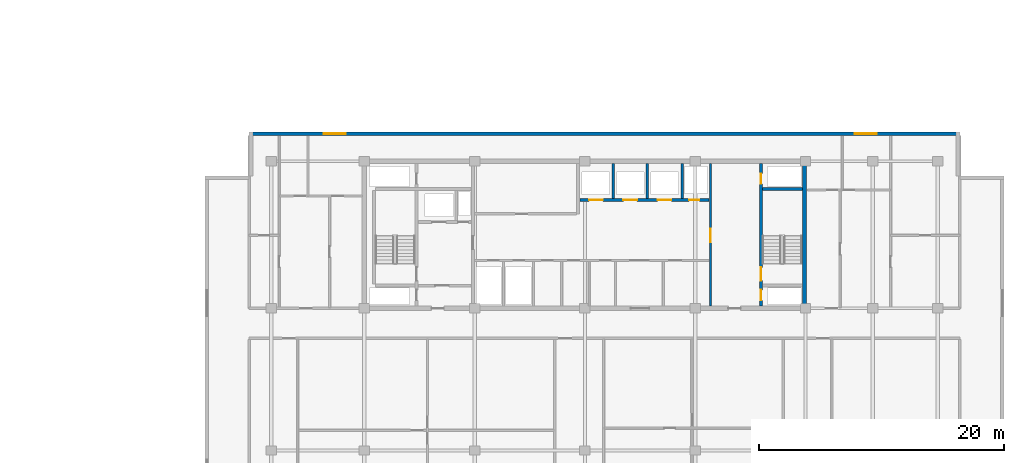
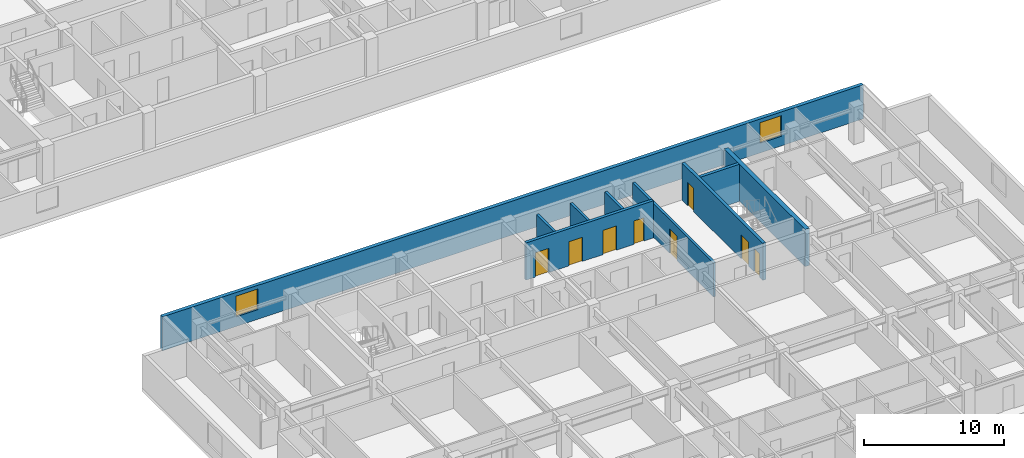
# One storey, part 8 of 22: 9 walls, 8 doors, 2 windows, 10 openings.
"""IFC4 building model written with IfcOpenShell, lengths in metres."""

from ifc_helpers import new_model, si_unit, direction, frame, frame_2d, origin, place, context, subcontext, project, spatial, rectangle, extrude, material, layer, layer_set, type_object, element, fill, save


model = new_model("IFC4")

# Units and contexts
model_context = context("Model", 3, precision=1e-05, world=origin(), true_north=direction((0.0, 1.0)))
body_context = subcontext(model_context, "Body", "Model", "MODEL_VIEW")
ifc_project = project(units=[si_unit("LENGTHUNIT", "METRE"), si_unit("AREAUNIT", "SQUARE_METRE"), si_unit("VOLUMEUNIT", "CUBIC_METRE"), si_unit("PLANEANGLEUNIT", "RADIAN"), si_unit("MASSUNIT", "GRAM", prefix="KILO")], contexts=[model_context])

# Site, building, storey
site_placement = place(None, origin())
site = spatial("IfcSite", under=ifc_project, at=site_placement, CompositionType="ELEMENT")
building_placement = place(site_placement, origin())
building = spatial("IfcBuilding", under=site, at=building_placement, Name="Korimba Cascade Residences", CompositionType="ELEMENT")
storey_placement = place(building_placement, frame((0.0, 0.0, 126.300048828125)))
storey = spatial("IfcBuildingStorey", under=building, at=storey_placement, Name="L36", CompositionType="ELEMENT", Elevation=126.300048828125)

# Wall, openings, windows
ifc_material_1 = material(Name="Precast concrete C40/50", Category="concrete")
ifc_layer_1 = layer(ifc_material_1, 0.300048828125)
ifc_layer_set_1 = layer_set([ifc_layer_1], Name="Precast concrete C40/50")
wall_type_1 = type_object("IfcWallType", Name="EW-STONE-300", PredefinedType="STANDARD", material=ifc_layer_set_1)
wall_1_placement = place(storey_placement, frame((130.699951171875, 32.64990234375, 0.0), z_axis=(0.0, 0.0, 1.0), x_axis=(-1.0, 0.0, 0.0)))
wall_1 = element("IfcWall", 1, at=wall_1_placement, inside=storey, type_object=wall_type_1, Name="L36 T2 Perimeter Stone Wall E06", PredefinedType="STANDARD", context=body_context, shape_type="SweptSolid", body=[
    extrude(rectangle(XDim=58.0, YDim=0.300048828125, at=frame_2d((29.0, 0.0))), origin(), (0.0, 0.0, 1.0), 2.969970703125),
])
opening_1_placement = place(wall_1_placement, frame((50.125, 0.0, 0.85009765625)))
opening_1 = element("IfcOpeningElement", 2, at=opening_1_placement, cuts=wall_1, Name="Opening W-02", PredefinedType="OPENING", context=body_context, shape_type="SweptSolid", body=[
    extrude(rectangle(XDim=1.800048828125, YDim=1.800048828125, at=frame_2d((0.89990234375, 0.89990234375))), frame((0.0, 0.16015625, 0.0), z_axis=(0.0, -1.0, 0.0), x_axis=(1.0, 0.0, 0.0)), (0.0, 0.0, 1.0), 0.320068359375),
])
opening_2_placement = place(wall_1_placement, frame((6.77490234375, 0.0, 0.85009765625)))
opening_2 = element("IfcOpeningElement", 3, at=opening_2_placement, cuts=wall_1, Name="Opening W-02", PredefinedType="OPENING", context=body_context, shape_type="SweptSolid", body=[
    extrude(rectangle(XDim=1.800048828125, YDim=1.800048828125, at=frame_2d((0.89990234375, 0.89990234375))), frame((0.0, 0.16015625, 0.0), z_axis=(0.0, -1.0, 0.0), x_axis=(1.0, 0.0, 0.0)), (0.0, 0.0, 1.0), 0.320068359375),
])
ifc_material_2 = material(Name="Double-Glazed Aluminium Window", Category="aluminium")
window_type = type_object("IfcWindowType", Name="WIN-BED-1800", PartitioningType="SINGLE_PANEL", PredefinedType="WINDOW", material=ifc_material_2)
window_1_placement = place(opening_1_placement, origin())
window_1 = element("IfcWindow", 4, at=window_1_placement, inside=storey, type_object=window_type, Name="L36 T2 North Corner Bedroom Window 1", OverallHeight=1.800048828125, OverallWidth=1.800048828125, PartitioningType="SINGLE_PANEL", PredefinedType="WINDOW", context=body_context, shape_type="SweptSolid", body=[
    extrude(rectangle(XDim=1.800048828125, YDim=1.800048828125, at=frame_2d((0.89990234375, 0.89990234375))), frame((0.0, 0.030029296875, 0.0), z_axis=(0.0, -1.0, 0.0), x_axis=(1.0, 0.0, 0.0)), (0.0, 0.0, 1.0), 0.06005859375),
])
fill(opening_1, window_1)
window_2_placement = place(opening_2_placement, origin())
window_2 = element("IfcWindow", 5, at=window_2_placement, inside=storey, type_object=window_type, Name="L36 T2 North Corner Bedroom Window 2", OverallHeight=1.800048828125, OverallWidth=1.800048828125, PartitioningType="SINGLE_PANEL", PredefinedType="WINDOW", context=body_context, shape_type="SweptSolid", body=[
    extrude(rectangle(XDim=1.800048828125, YDim=1.800048828125, at=frame_2d((0.89990234375, 0.89990234375))), frame((0.0, 0.030029296875, 0.0), z_axis=(0.0, -1.0, 0.0), x_axis=(1.0, 0.0, 0.0)), (0.0, 0.0, 1.0), 0.06005859375),
])
fill(opening_2, window_2)

# Walls
ifc_material_3 = material(Name="Concrete C65/80", Category="concrete")
ifc_layer_2 = layer(ifc_material_3, 0.35009765625)
ifc_layer_set_2 = layer_set([ifc_layer_2], Name="Concrete C65/80")
wall_type_2 = type_object("IfcWallType", Name="WAL-CORE-350", PredefinedType="SHEAR", material=ifc_layer_set_2)
wall_2_placement = place(storey_placement, frame((118.014892578125, 18.574951171875, 0.0), z_axis=(0.0, 0.0, 1.0), x_axis=(0.0, 1.0, 0.0)))
element("IfcWall", 6, at=wall_2_placement, inside=storey, type_object=wall_type_2, Name="L36 Core Shear Wall CW-L36-T2-E", PredefinedType="SHEAR", context=body_context, shape_type="SweptSolid", body=[
    extrude(rectangle(XDim=11.650146484375, YDim=0.35009765625, at=frame_2d((5.8251953125, 0.0))), origin(), (0.0, 0.0, 1.0), 3.25),
])
ifc_material_4 = material(Name="Concrete C40/50", Category="concrete")
ifc_layer_3 = layer(ifc_material_4, 0.199951171875)
ifc_layer_set_3 = layer_set([ifc_layer_3], Name="Concrete C40/50")
wall_type_3 = type_object("IfcWallType", Name="WAL-PART-200", PredefinedType="PARTITIONING", material=ifc_layer_set_3)
for number, where, z_axis, x_axis, name in (
    (7, (102.39990234375, 27.3798828125, 0.0), (0.0, 0.0, 1.0), (0.0, 1.0, 0.0), "L36 Partition Wall CW-L36-T2-B2D1"),
    (8, (105.199951171875, 27.3798828125, 0.0), (0.0, 0.0, 1.0), (0.0, 1.0, 0.0), "L36 Partition Wall CW-L36-T2-B2D2"),
    (9, (108.050048828125, 27.3798828125, 0.0), (0.0, 0.0, 1.0), (0.0, 1.0, 0.0), "L36 Partition Wall CW-L36-T2-B2D3"),
):
    element("IfcWall", number, at=place(storey_placement, frame(where, z_axis=z_axis, x_axis=x_axis)), inside=storey, type_object=wall_type_3, Name=name, PredefinedType="PARTITIONING", context=body_context, shape_type="SweptSolid", body=[
        extrude(rectangle(XDim=2.820068359375, YDim=0.199951171875, at=frame_2d((1.41015625, 0.0))), origin(), (0.0, 0.0, 1.0), 2.969970703125),
    ])

# Wall, opening, door
wall_3_placement = place(storey_placement, frame((110.35009765625, 18.60009765625, 0.0), z_axis=(0.0, 0.0, 1.0), x_axis=(0.0, 1.0, 0.0)))
wall_3 = element("IfcWall", 10, at=wall_3_placement, inside=storey, type_object=wall_type_3, Name="L36 Partition Wall CW-L36-T2-LLEV", PredefinedType="PARTITIONING", context=body_context, shape_type="SweptSolid", body=[
    extrude(rectangle(XDim=11.599853515625, YDim=0.199951171875, at=frame_2d((5.7998046875, 0.0))), origin(), (0.0, 0.0, 1.0), 2.969970703125),
])
opening_3_placement = place(wall_3_placement, frame((5.199951171875, 0.0, 0.0)))
opening_3 = element("IfcOpeningElement", 11, at=opening_3_placement, cuts=wall_3, Name="Opening D-FD6", PredefinedType="OPENING", context=body_context, shape_type="SweptSolid", body=[
    extrude(rectangle(XDim=1.10009765625, YDim=2.14990234375, at=frame_2d((0.550048828125, 1.074951171875))), frame((0.0, 0.10986328125, 0.0), z_axis=(0.0, -1.0, 0.0), x_axis=(1.0, 0.0, 0.0)), (0.0, 0.0, 1.0), 0.219970703125),
])
ifc_material_5 = material(Name="Fire-Rated Timber Stair Lobby Door", Category="wood")
door_type_1 = type_object("IfcDoorType", Name="DR-FD90-1100", OperationType="NOTDEFINED", PredefinedType="DOOR", material=ifc_material_5)
door_1_placement = place(opening_3_placement, origin())
door_1 = element("IfcDoor", 12, at=door_1_placement, inside=storey, type_object=door_type_1, Name="L36 T2 Lift Lobby to East Stair Lobby Door", OperationType="SINGLE_SWING_LEFT", OverallHeight=2.14990234375, OverallWidth=1.10009765625, PredefinedType="DOOR", context=body_context, shape_type="SweptSolid", body=[
    extrude(rectangle(XDim=1.10009765625, YDim=2.14990234375, at=frame_2d((0.550048828125, 1.074951171875))), frame((0.0, 0.02490234375, 0.0), z_axis=(0.0, -1.0, 0.0), x_axis=(1.0, 0.0, 0.0)), (0.0, 0.0, 1.0), 0.050048828125),
])
fill(opening_3, door_1)

# Wall, openings, doors
ifc_material_6 = material(Name="Concrete C50/60", Category="concrete")
ifc_layer_4 = layer(ifc_material_6, 0.25)
ifc_layer_set_4 = layer_set([ifc_layer_4], Name="Concrete C50/60")
wall_type_4 = type_object("IfcWallType", Name="WAL-SHAFT-250", PredefinedType="SHEAR", material=ifc_layer_set_4)
wall_4_placement = place(storey_placement, frame((99.679931640625, 27.25, 0.0), z_axis=(0.0, 0.0, 1.0), x_axis=(1.0, 0.0, 0.0)))
wall_4 = element("IfcWall", 13, at=wall_4_placement, inside=storey, type_object=wall_type_4, Name="L36 Core Shear Wall CW-L36-T2-B2S", PredefinedType="SHEAR", context=body_context, shape_type="SweptSolid", body=[
    extrude(rectangle(XDim=10.5400390625, YDim=0.25, at=frame_2d((5.27001953125, 0.0))), origin(), (0.0, 0.0, 1.0), 3.25),
])
opening_4_placement = place(wall_4_placement, frame((0.760009765625, 0.0, 0.0)))
opening_4 = element("IfcOpeningElement", 14, at=opening_4_placement, cuts=wall_4, Name="Opening LD-01", PredefinedType="OPENING", context=body_context, shape_type="SweptSolid", body=[
    extrude(rectangle(XDim=1.1201171875, YDim=2.1201171875, at=frame_2d((0.56005859375, 1.06005859375))), frame((0.0, 0.135009765625, 0.0), z_axis=(0.0, -1.0, 0.0), x_axis=(1.0, 0.0, 0.0)), (0.0, 0.0, 1.0), 0.27001953125),
])
opening_5_placement = place(wall_4_placement, frame((3.56005859375, 0.0, 0.0)))
opening_5 = element("IfcOpeningElement", 15, at=opening_5_placement, cuts=wall_4, Name="Opening LD-01", PredefinedType="OPENING", context=body_context, shape_type="SweptSolid", body=[
    extrude(rectangle(XDim=1.1201171875, YDim=2.1201171875, at=frame_2d((0.56005859375, 1.06005859375))), frame((0.0, 0.135009765625, 0.0), z_axis=(0.0, -1.0, 0.0), x_axis=(1.0, 0.0, 0.0)), (0.0, 0.0, 1.0), 0.27001953125),
])
opening_6_placement = place(wall_4_placement, frame((6.360107421875, 0.0, 0.0)))
opening_6 = element("IfcOpeningElement", 16, at=opening_6_placement, cuts=wall_4, Name="Opening LD-01", PredefinedType="OPENING", context=body_context, shape_type="SweptSolid", body=[
    extrude(rectangle(XDim=1.1201171875, YDim=2.1201171875, at=frame_2d((0.56005859375, 1.06005859375))), frame((0.0, 0.135009765625, 0.0), z_axis=(0.0, -1.0, 0.0), x_axis=(1.0, 0.0, 0.0)), (0.0, 0.0, 1.0), 0.27001953125),
])
opening_7_placement = place(wall_4_placement, frame((8.919921875, 0.0, 0.0)))
opening_7 = element("IfcOpeningElement", 17, at=opening_7_placement, cuts=wall_4, Name="Opening D-RS1", PredefinedType="OPENING", context=body_context, shape_type="SweptSolid", body=[
    extrude(rectangle(XDim=0.85009765625, YDim=2.050048828125, at=frame_2d((0.425048828125, 1.02490234375))), frame((0.0, 0.135009765625, 0.0), z_axis=(0.0, -1.0, 0.0), x_axis=(1.0, 0.0, 0.0)), (0.0, 0.0, 1.0), 0.27001953125),
])
ifc_material_7 = material(Name="Fire-Rated Steel Riser Access Door", Category="steel")
door_type_2 = type_object("IfcDoorType", Name="DR-FD60-850", OperationType="NOTDEFINED", PredefinedType="DOOR", material=ifc_material_7)
door_2_placement = place(opening_7_placement, origin())
door_2 = element("IfcDoor", 18, at=door_2_placement, inside=storey, type_object=door_type_2, Name="L36 T2 Duct Door", OperationType="SINGLE_SWING_RIGHT", OverallHeight=2.050048828125, OverallWidth=0.85009765625, PredefinedType="DOOR", context=body_context, shape_type="SweptSolid", body=[
    extrude(rectangle(XDim=0.85009765625, YDim=2.050048828125, at=frame_2d((0.425048828125, 1.02490234375))), frame((0.0, 0.02490234375, 0.0), z_axis=(0.0, -1.0, 0.0), x_axis=(1.0, 0.0, 0.0)), (0.0, 0.0, 1.0), 0.050048828125),
])
fill(opening_7, door_2)
ifc_material_8 = material(Name="Stainless Steel Lift Landing Sliding Door", Category="steel")
door_type_3 = type_object("IfcDoorType", Name="DR-LIFT-1100", OperationType="NOTDEFINED", PredefinedType="DOOR", material=ifc_material_8)
door_3_placement = place(opening_4_placement, origin())
door_3 = element("IfcDoor", 19, at=door_3_placement, inside=storey, type_object=door_type_3, Name="L36 Lift Landing Door PL-E4", OperationType="SLIDING_TO_RIGHT", OverallHeight=2.1201171875, OverallWidth=1.1201171875, PredefinedType="DOOR", context=body_context, shape_type="SweptSolid", body=[
    extrude(rectangle(XDim=1.1201171875, YDim=2.1201171875, at=frame_2d((0.56005859375, 1.06005859375))), frame((0.0, 0.02490234375, 0.0), z_axis=(0.0, -1.0, 0.0), x_axis=(1.0, 0.0, 0.0)), (0.0, 0.0, 1.0), 0.050048828125),
])
fill(opening_4, door_3)
door_4_placement = place(opening_5_placement, origin())
door_4 = element("IfcDoor", 20, at=door_4_placement, inside=storey, type_object=door_type_3, Name="L36 Lift Landing Door PL-E5", OperationType="SLIDING_TO_RIGHT", OverallHeight=2.1201171875, OverallWidth=1.1201171875, PredefinedType="DOOR", context=body_context, shape_type="SweptSolid", body=[
    extrude(rectangle(XDim=1.1201171875, YDim=2.1201171875, at=frame_2d((0.56005859375, 1.06005859375))), frame((0.0, 0.02490234375, 0.0), z_axis=(0.0, -1.0, 0.0), x_axis=(1.0, 0.0, 0.0)), (0.0, 0.0, 1.0), 0.050048828125),
])
fill(opening_5, door_4)
door_5_placement = place(opening_6_placement, origin())
door_5 = element("IfcDoor", 21, at=door_5_placement, inside=storey, type_object=door_type_3, Name="L36 Lift Landing Door PL-E6", OperationType="SLIDING_TO_RIGHT", OverallHeight=2.1201171875, OverallWidth=1.1201171875, PredefinedType="DOOR", context=body_context, shape_type="SweptSolid", body=[
    extrude(rectangle(XDim=1.1201171875, YDim=2.1201171875, at=frame_2d((0.56005859375, 1.06005859375))), frame((0.0, 0.02490234375, 0.0), z_axis=(0.0, -1.0, 0.0), x_axis=(1.0, 0.0, 0.0)), (0.0, 0.0, 1.0), 0.050048828125),
])
fill(opening_6, door_5)

wall_5_placement = place(storey_placement, frame((114.47509765625, 18.60009765625, 0.0), z_axis=(0.0, 0.0, 1.0), x_axis=(0.0, 1.0, 0.0)))
wall_5 = element("IfcWall", 22, at=wall_5_placement, inside=storey, type_object=wall_type_4, Name="L36 Core Shear Wall CW-L36-T2-STE2W", PredefinedType="SHEAR", context=body_context, shape_type="SweptSolid", body=[
    extrude(rectangle(XDim=11.599853515625, YDim=0.25, at=frame_2d((5.7998046875, 0.0))), origin(), (0.0, 0.0, 1.0), 3.25),
])
opening_8_placement = place(wall_5_placement, frame((0.449951171875, 0.0, 0.0)))
opening_8 = element("IfcOpeningElement", 23, at=opening_8_placement, cuts=wall_5, Name="Opening D-RS1", PredefinedType="OPENING", context=body_context, shape_type="SweptSolid", body=[
    extrude(rectangle(XDim=0.85009765625, YDim=2.050048828125, at=frame_2d((0.425048828125, 1.02490234375))), frame((0.0, 0.135009765625, 0.0), z_axis=(0.0, -1.0, 0.0), x_axis=(1.0, 0.0, 0.0)), (0.0, 0.0, 1.0), 0.27001953125),
])
opening_9_placement = place(wall_5_placement, frame((2.050048828125, 0.0, 0.0)))
opening_9 = element("IfcOpeningElement", 24, at=opening_9_placement, cuts=wall_5, Name="Opening D-FD1", PredefinedType="OPENING", context=body_context, shape_type="SweptSolid", body=[
    extrude(rectangle(XDim=1.10009765625, YDim=2.10009765625, at=frame_2d((0.550048828125, 1.050048828125))), frame((0.0, 0.135009765625, 0.0), z_axis=(0.0, -1.0, 0.0), x_axis=(1.0, 0.0, 0.0)), (0.0, 0.0, 1.0), 0.27001953125),
])
opening_10_placement = place(wall_5_placement, frame((9.949951171875, 0.0, 0.0)))
opening_10 = element("IfcOpeningElement", 25, at=opening_10_placement, cuts=wall_5, Name="Opening D-RS1", PredefinedType="OPENING", context=body_context, shape_type="SweptSolid", body=[
    extrude(rectangle(XDim=0.85009765625, YDim=2.050048828125, at=frame_2d((0.425048828125, 1.02490234375))), frame((0.0, 0.135009765625, 0.0), z_axis=(0.0, -1.0, 0.0), x_axis=(1.0, 0.0, 0.0)), (0.0, 0.0, 1.0), 0.27001953125),
])
ifc_material_9 = material(Name="Fire-Rated Steel Core Door", Category="steel")
door_type_4 = type_object("IfcDoorType", Name="DR-FD120-1100", OperationType="NOTDEFINED", PredefinedType="DOOR", material=ifc_material_9)
door_6_placement = place(opening_9_placement, origin())
door_6 = element("IfcDoor", 26, at=door_6_placement, inside=storey, type_object=door_type_4, Name="L36 Fire Stair ST-E2 Door", OperationType="SINGLE_SWING_LEFT", OverallHeight=2.10009765625, OverallWidth=1.10009765625, PredefinedType="DOOR", context=body_context, shape_type="SweptSolid", body=[
    extrude(rectangle(XDim=1.10009765625, YDim=2.10009765625, at=frame_2d((0.550048828125, 1.050048828125))), frame((0.0, 0.02490234375, 0.0), z_axis=(0.0, -1.0, 0.0), x_axis=(1.0, 0.0, 0.0)), (0.0, 0.0, 1.0), 0.050048828125),
])
fill(opening_9, door_6)
door_7_placement = place(opening_8_placement, origin())
door_7 = element("IfcDoor", 27, at=door_7_placement, inside=storey, type_object=door_type_2, Name="L36 T2 East Hydrant Door", OperationType="SINGLE_SWING_RIGHT", OverallHeight=2.050048828125, OverallWidth=0.85009765625, PredefinedType="DOOR", context=body_context, shape_type="SweptSolid", body=[
    extrude(rectangle(XDim=0.85009765625, YDim=2.050048828125, at=frame_2d((0.425048828125, 1.02490234375))), frame((0.0, 0.02490234375, 0.0), z_axis=(0.0, -1.0, 0.0), x_axis=(1.0, 0.0, 0.0)), (0.0, 0.0, 1.0), 0.050048828125),
])
fill(opening_8, door_7)
door_8_placement = place(opening_10_placement, origin())
door_8 = element("IfcDoor", 28, at=door_8_placement, inside=storey, type_object=door_type_2, Name="L36 T2 East Riser Door", OperationType="SINGLE_SWING_RIGHT", OverallHeight=2.050048828125, OverallWidth=0.85009765625, PredefinedType="DOOR", context=body_context, shape_type="SweptSolid", body=[
    extrude(rectangle(XDim=0.85009765625, YDim=2.050048828125, at=frame_2d((0.425048828125, 1.02490234375))), frame((0.0, 0.02490234375, 0.0), z_axis=(0.0, -1.0, 0.0), x_axis=(1.0, 0.0, 0.0)), (0.0, 0.0, 1.0), 0.050048828125),
])
fill(opening_10, door_8)

# Wall
wall_6_placement = place(storey_placement, frame((114.60009765625, 28.125, 0.0), z_axis=(0.0, 0.0, 1.0), x_axis=(1.0, 0.0, 0.0)))
element("IfcWall", 29, at=wall_6_placement, inside=storey, type_object=wall_type_4, Name="L36 Core Shear Wall CW-L36-T2-STE2N", PredefinedType="SHEAR", context=body_context, shape_type="SweptSolid", body=[
    extrude(rectangle(XDim=3.239990234375, YDim=0.25, at=frame_2d((1.6201171875, 0.0))), origin(), (0.0, 0.0, 1.0), 3.25),
])

save(model, "model.ifc")
